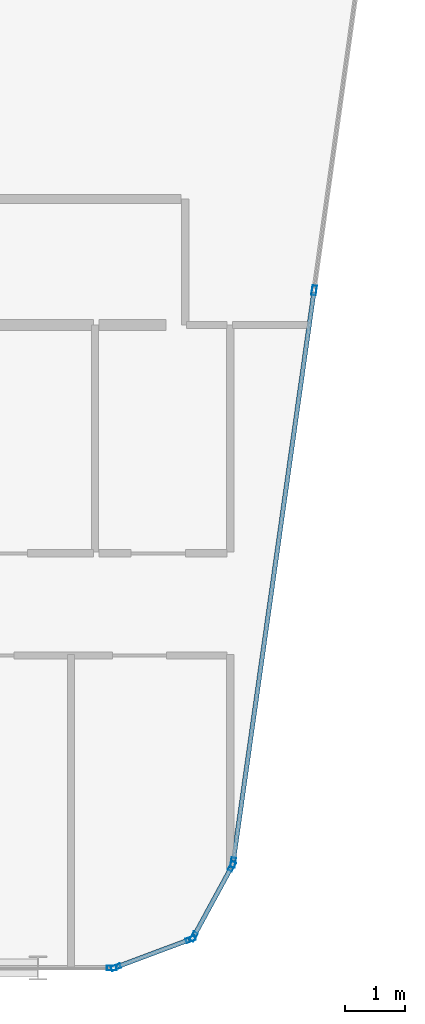
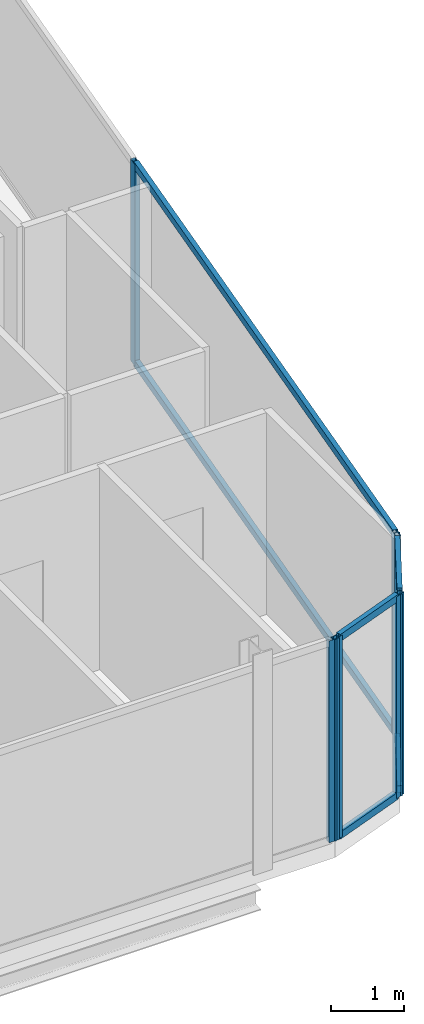
# One storey, part 12 of 27: 13 members, 4 elements without a shape of their own.
"""IFC4 building model written with IfcOpenShell, lengths in metres."""

from ifc_helpers import new_model, si_unit, direction, frame, origin, origin_2d, place, context, subcontext, project, spatial, hollow_rectangle, extrude, material, layer, layer_set, material_profile, profile_set, type_object, element, aggregate, save


model = new_model("IFC4")

# Units and contexts
model_context = context("Model", 3, precision=1e-05, world=origin(), true_north=direction((0.0, 1.0)))
body_context = subcontext(model_context, "Body", "Model", "MODEL_VIEW")
ifc_project = project(units=[si_unit("LENGTHUNIT", "METRE"), si_unit("AREAUNIT", "SQUARE_METRE"), si_unit("VOLUMEUNIT", "CUBIC_METRE"), si_unit("PLANEANGLEUNIT", "RADIAN"), si_unit("MASSUNIT", "GRAM", prefix="KILO")], contexts=[model_context])

# Site, building, storey
site_placement = place(None, origin())
site = spatial("IfcSite", under=ifc_project, at=site_placement, CompositionType="ELEMENT")
building_placement = place(site_placement, origin())
building = spatial("IfcBuilding", under=site, at=building_placement, Name="Keshet Zoharim Tower", CompositionType="ELEMENT")
storey_placement = place(building_placement, frame((0.0, 0.0, 307.300048828125)))
storey = spatial("IfcBuildingStorey", under=building, at=storey_placement, Name="L77", CompositionType="ELEMENT", Elevation=307.300048828125)

# Curtain wall, members
ifc_material = material(Name="Aluminium 6063-T6", Category="aluminium")
ifc_layer = layer(ifc_material, 0.260009765625)
ifc_layer_set = layer_set([ifc_layer], Name="Aluminium 6063-T6")
curtain_wall_type = type_object("IfcCurtainWallType", Name="CW-SYS-06", PredefinedType="NOTDEFINED", material=ifc_layer_set)
curtain_wall_1_placement = place(storey_placement, origin())
curtain_wall_1 = element("IfcCurtainWall", 1, at=curtain_wall_1_placement, inside=storey, type_object=curtain_wall_type, Name="L77 Unitised Curtain Wall 11", PredefinedType="NOTDEFINED")
ifc_material_profile_1 = material_profile(ifc_material, hollow_rectangle(XDim=0.074951171875, YDim=0.159912109375, WallThickness=0.00390625, at=origin_2d()), Name="MUL-75x160")
ifc_profile_set_1 = profile_set([ifc_material_profile_1], Name="Aluminium 6063-T6")
member_type_1 = type_object("IfcMemberType", Name="CWM-M15", PredefinedType="MULLION", material=ifc_profile_set_1)
member_1_placement = place(storey_placement, frame((43.595458984375, 17.97607421875, 0.0), z_axis=(0.0, 0.0, 1.0), x_axis=(0.990132057422, -0.140137464177, 0.0)))
member_1 = element("IfcMember", 2, at=member_1_placement, type_object=member_type_1, Name="CW-06 mullion 2", PredefinedType="MULLION", context=body_context, shape_type="SweptSolid", body=[
    extrude(hollow_rectangle(XDim=0.074951171875, YDim=0.159912109375, WallThickness=0.00390625, at=origin_2d()), origin(), (0.0, 0.0, 1.0), 3.389892578125),
])
member_2_placement = place(storey_placement, frame((42.247802734375, 8.45458984375, 0.0), z_axis=(0.0, 0.0, 1.0), x_axis=(0.990132057422, -0.140137464177, 0.0)))
member_2 = element("IfcMember", 3, at=member_2_placement, type_object=member_type_1, Name="CW-06 mullion 3", PredefinedType="MULLION", context=body_context, shape_type="SweptSolid", body=[
    extrude(hollow_rectangle(XDim=0.074951171875, YDim=0.159912109375, WallThickness=0.00390625, at=origin_2d()), origin(), (0.0, 0.0, 1.0), 3.389892578125),
])

curtain_wall_2_placement = place(storey_placement, origin())
curtain_wall_2 = element("IfcCurtainWall", 4, at=curtain_wall_2_placement, inside=storey, type_object=curtain_wall_type, Name="L77 Unitised Curtain Wall 12", PredefinedType="NOTDEFINED")
member_3_placement = place(storey_placement, frame((42.226318359375, 8.38916015625, 0.0), z_axis=(0.0, 0.0, 1.0), x_axis=(0.878468125004, -0.477800955789, 0.0)))
member_3 = element("IfcMember", 5, at=member_3_placement, type_object=member_type_1, Name="CW-06 mullion 1", PredefinedType="MULLION", context=body_context, shape_type="SweptSolid", body=[
    extrude(hollow_rectangle(XDim=0.074951171875, YDim=0.159912109375, WallThickness=0.00390625, at=origin_2d()), origin(), (0.0, 0.0, 1.0), 3.389892578125),
])
member_4_placement = place(storey_placement, frame((41.5908203125, 7.220703125, 0.0), z_axis=(0.0, 0.0, 1.0), x_axis=(0.878468125004, -0.477800955789, 0.0)))
member_4 = element("IfcMember", 6, at=member_4_placement, type_object=member_type_1, Name="CW-06 mullion 2", PredefinedType="MULLION", context=body_context, shape_type="SweptSolid", body=[
    extrude(hollow_rectangle(XDim=0.074951171875, YDim=0.159912109375, WallThickness=0.00390625, at=origin_2d()), origin(), (0.0, 0.0, 1.0), 3.389892578125),
])

curtain_wall_3_placement = place(storey_placement, origin())
curtain_wall_3 = element("IfcCurtainWall", 7, at=curtain_wall_3_placement, inside=storey, type_object=curtain_wall_type, Name="L77 Unitised Curtain Wall 13", PredefinedType="NOTDEFINED")
member_5_placement = place(storey_placement, frame((41.541259765625, 7.177734375, 0.0), z_axis=(0.0, 0.0, 1.0), x_axis=(0.350105315376, -0.936710343781, 0.0)))
member_5 = element("IfcMember", 8, at=member_5_placement, type_object=member_type_1, Name="CW-06 mullion 1", PredefinedType="MULLION", context=body_context, shape_type="SweptSolid", body=[
    extrude(hollow_rectangle(XDim=0.074951171875, YDim=0.159912109375, WallThickness=0.00390625, at=origin_2d()), origin(), (0.0, 0.0, 1.0), 3.389892578125),
])
member_6_placement = place(storey_placement, frame((40.2958984375, 6.712158203125, 0.0), z_axis=(0.0, 0.0, 1.0), x_axis=(0.350105315376, -0.936710343781, 0.0)))
member_6 = element("IfcMember", 9, at=member_6_placement, type_object=member_type_1, Name="CW-06 mullion 2", PredefinedType="MULLION", context=body_context, shape_type="SweptSolid", body=[
    extrude(hollow_rectangle(XDim=0.074951171875, YDim=0.159912109375, WallThickness=0.00390625, at=origin_2d()), origin(), (0.0, 0.0, 1.0), 3.389892578125),
])

# Curtain wall, member
curtain_wall_4_placement = place(storey_placement, origin())
curtain_wall_4 = element("IfcCurtainWall", 10, at=curtain_wall_4_placement, inside=storey, type_object=curtain_wall_type, Name="L77 Unitised Curtain Wall 14", PredefinedType="NOTDEFINED")
member_7_placement = place(storey_placement, frame((40.22802734375, 6.699951171875, 0.0), z_axis=(0.0, 0.0, 1.0), x_axis=(0.0, -1.0, 0.0)))
member_7 = element("IfcMember", 11, at=member_7_placement, type_object=member_type_1, Name="CW-06 mullion 1", PredefinedType="MULLION", context=body_context, shape_type="SweptSolid", body=[
    extrude(hollow_rectangle(XDim=0.074951171875, YDim=0.159912109375, WallThickness=0.00390625, at=origin_2d()), origin(), (0.0, 0.0, 1.0), 3.389892578125),
])
aggregate(curtain_wall_4, [member_7])

# Member
ifc_material_profile_2 = material_profile(ifc_material, hollow_rectangle(XDim=0.074951171875, YDim=0.1201171875, WallThickness=0.00390625, at=origin_2d()), Name="TRN-75x120")
ifc_profile_set_2 = profile_set([ifc_material_profile_2], Name="Aluminium 6063-T6")
member_type_2 = type_object("IfcMemberType", Name="CWT-T12", PredefinedType="USERDEFINED", material=ifc_profile_set_2)
member_8_placement = place(storey_placement, frame((43.590576171875, 17.94140625, 0.034912109375), z_axis=(-0.14012154881, -0.990134309859, 0.0), x_axis=(0.990134309859, -0.14012154881, 0.0)))
member_8 = element("IfcMember", 12, at=member_8_placement, type_object=member_type_2, Name="CW-06 transom 2.1", ObjectType="TRANSOM", PredefinedType="USERDEFINED", context=body_context, shape_type="SweptSolid", body=[
    extrude(hollow_rectangle(XDim=0.074951171875, YDim=0.1201171875, WallThickness=0.00390625, at=origin_2d()), origin(), (0.0, 0.0, 1.0), 9.54638671875),
])

member_9_placement = place(storey_placement, frame((43.590576171875, 17.94140625, 3.35498046875), z_axis=(-0.14012154881, -0.990134309859, 0.0), x_axis=(0.990134309859, -0.14012154881, 0.0)))
member_9 = element("IfcMember", 13, at=member_9_placement, type_object=member_type_2, Name="CW-06 transom 2.2", ObjectType="TRANSOM", PredefinedType="USERDEFINED", context=body_context, shape_type="SweptSolid", body=[
    extrude(hollow_rectangle(XDim=0.074951171875, YDim=0.1201171875, WallThickness=0.00390625, at=origin_2d()), origin(), (0.0, 0.0, 1.0), 9.54638671875),
])

aggregate(curtain_wall_1, [member_1, member_2, member_8, member_9])

member_10_placement = place(storey_placement, frame((42.20947265625, 8.3583984375, 0.034912109375), z_axis=(-0.47779293276, -0.878472488701, 0.0), x_axis=(0.878472488701, -0.47779293276, 0.0)))
member_10 = element("IfcMember", 14, at=member_10_placement, type_object=member_type_2, Name="CW-06 transom 1.1", ObjectType="TRANSOM", PredefinedType="USERDEFINED", context=body_context, shape_type="SweptSolid", body=[
    extrude(hollow_rectangle(XDim=0.074951171875, YDim=0.1201171875, WallThickness=0.00390625, at=origin_2d()), origin(), (0.0, 0.0, 1.0), 1.260009765625),
])

member_11_placement = place(storey_placement, frame((42.20947265625, 8.3583984375, 3.35498046875), z_axis=(-0.47779293276, -0.878472488701, 0.0), x_axis=(0.878472488701, -0.47779293276, 0.0)))
member_11 = element("IfcMember", 15, at=member_11_placement, type_object=member_type_2, Name="CW-06 transom 1.2", ObjectType="TRANSOM", PredefinedType="USERDEFINED", context=body_context, shape_type="SweptSolid", body=[
    extrude(hollow_rectangle(XDim=0.074951171875, YDim=0.1201171875, WallThickness=0.00390625, at=origin_2d()), origin(), (0.0, 0.0, 1.0), 1.260009765625),
])

aggregate(curtain_wall_2, [member_3, member_4, member_10, member_11])

member_12_placement = place(storey_placement, frame((41.508544921875, 7.16552734375, 0.034912109375), z_axis=(-0.93673477759, -0.350039935512, 0.0), x_axis=(0.350039935512, -0.93673477759, 0.0)))
member_12 = element("IfcMember", 16, at=member_12_placement, type_object=member_type_2, Name="CW-06 transom 1.1", ObjectType="TRANSOM", PredefinedType="USERDEFINED", context=body_context, shape_type="SweptSolid", body=[
    extrude(hollow_rectangle(XDim=0.074951171875, YDim=0.1201171875, WallThickness=0.00390625, at=origin_2d()), origin(), (0.0, 0.0, 1.0), 1.259521484375),
])

member_13_placement = place(storey_placement, frame((41.508544921875, 7.16552734375, 3.35498046875), z_axis=(-0.93673477759, -0.350039935512, 0.0), x_axis=(0.350039935512, -0.93673477759, 0.0)))
member_13 = element("IfcMember", 17, at=member_13_placement, type_object=member_type_2, Name="CW-06 transom 1.2", ObjectType="TRANSOM", PredefinedType="USERDEFINED", context=body_context, shape_type="SweptSolid", body=[
    extrude(hollow_rectangle(XDim=0.074951171875, YDim=0.1201171875, WallThickness=0.00390625, at=origin_2d()), origin(), (0.0, 0.0, 1.0), 1.259521484375),
])

aggregate(curtain_wall_3, [member_5, member_6, member_12, member_13])

save(model, "model.ifc")
